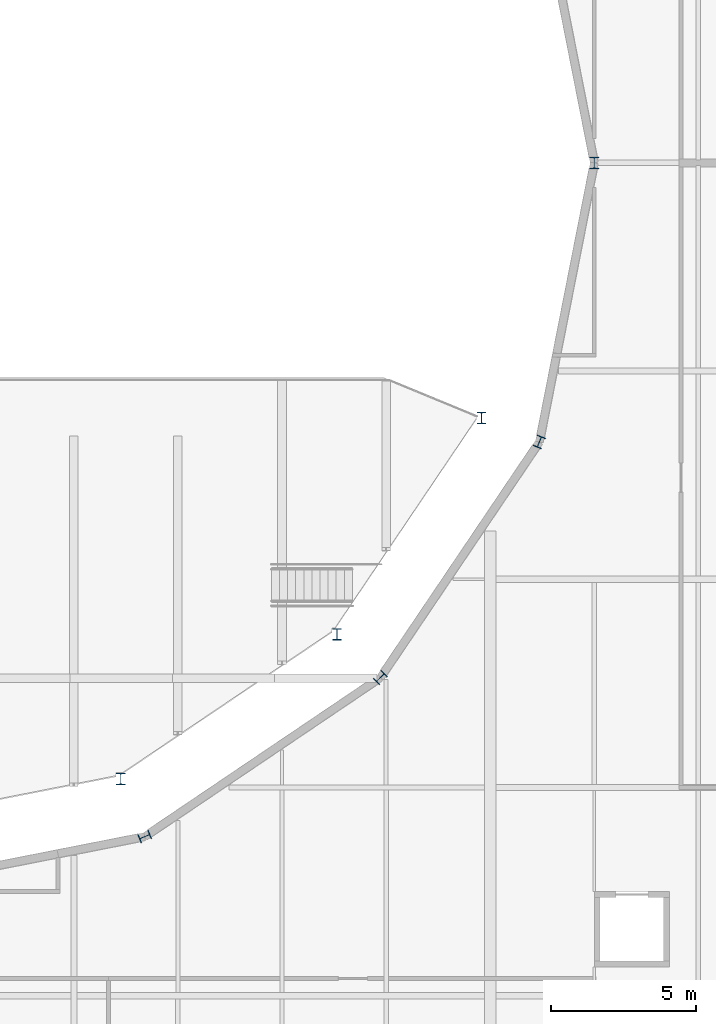
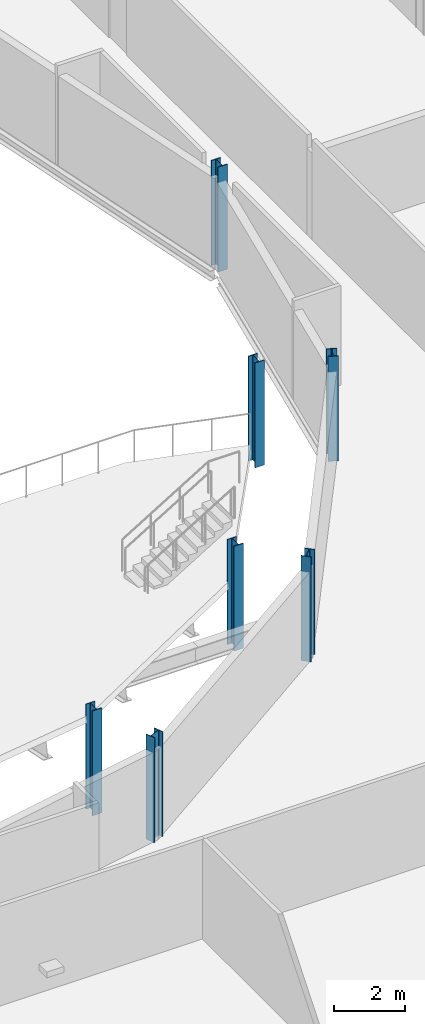
# One storey, part 4 of 124: 7 columns.
"""IFC4 building model written with IfcOpenShell, lengths in metres."""

import ifcopenshell
import ifcopenshell.guid

model = None  # the IFC model being written
_history = None  # IfcOwnerHistory: only IFC2X3 demands one
_inside = {}  # id of a spatial element -> (the spatial element, [elements in it])
_under = {}  # id of a project, library or spatial element -> (it, [spatial elements below it])
_declared = {}  # id of a project -> (the project, [libraries it declares])
_typed = {}  # id of a type object -> (the type object, [elements of that type])
_made_of = {}  # id of a material, layer set ... -> (it, [elements and type objects made of it])


def new_model(schema):
    """Start an empty IFC model of exactly this schema.

    Asked for "IFC4X3", IfcOpenShell would pick the latest addendum, in which some entities
    have other attributes; the version numbers below select the first issue.
    IFC2X3 requires an IfcOwnerHistory on every rooted entity: one is made here for all.
    """
    global model, _history
    if schema == "IFC4X3":
        model = ifcopenshell.file(schema_version=(4, 3, 0, 0))
    else:
        model = ifcopenshell.file(schema=schema)
    _inside.clear()
    _under.clear()
    _declared.clear()
    _typed.clear()
    _made_of.clear()
    _history = None
    if model.schema == "IFC2X3":
        org = make("IfcOrganization", Name="unknown")
        user = make(
            "IfcPersonAndOrganization",
            ThePerson=make("IfcPerson", FamilyName="unknown"),
            TheOrganization=org,
        )
        app = make(
            "IfcApplication",
            ApplicationDeveloper=org,
            Version="unknown",
            ApplicationFullName="unknown",
            ApplicationIdentifier="unknown",
        )
        _history = make(
            "IfcOwnerHistory",
            OwningUser=user,
            OwningApplication=app,
            ChangeAction="ADDED",
            CreationDate=0,
        )
    return model


def make(cls, **values):
    """One entity of the class cls with the attributes given. An attribute that is None is left unset."""
    return model.create_entity(
        cls, **{name: value for name, value in values.items() if value is not None}
    )


def rooted(cls, **values):
    """An entity with a GlobalId (a new one), such as an element, a storey or a relation."""
    return make(cls, GlobalId=ifcopenshell.guid.new(), OwnerHistory=_history, **values)


def si_unit(unit_type, name, prefix=None):
    """IfcSIUnit, for example si_unit("LENGTHUNIT", "METRE", prefix="MILLI")."""
    return make("IfcSIUnit", UnitType=unit_type, Prefix=prefix, Name=name)


def assignment(units):
    """IfcUnitAssignment: the units of a project."""
    return None if units is None else make("IfcUnitAssignment", Units=units)


def point(xyz):
    """IfcCartesianPoint."""
    return None if xyz is None else make("IfcCartesianPoint", Coordinates=xyz)


def direction(xyz):
    """IfcDirection."""
    return None if xyz is None else make("IfcDirection", DirectionRatios=xyz)


def frame(location, z_axis=None, x_axis=None):
    """IfcAxis2Placement3D, a coordinate frame: its origin and axes. An axis left out is left unset."""
    return make(
        "IfcAxis2Placement3D",
        Location=point(location),
        Axis=direction(z_axis),
        RefDirection=direction(x_axis),
    )


def frame_2d(location, x_axis=None):
    """IfcAxis2Placement2D, a coordinate frame in the plane: its origin and x axis."""
    return make(
        "IfcAxis2Placement2D", Location=point(location), RefDirection=direction(x_axis)
    )


def origin():
    """The frame at (0, 0, 0) with its axes left unset."""
    return frame((0.0, 0.0, 0.0))


def origin_2d():
    """The frame at (0, 0) in the plane with its x axis left unset."""
    return frame_2d((0.0, 0.0))


def place(relative_to, where):
    """IfcLocalPlacement: puts the frame where relative to a parent placement (None: the world)."""
    return make(
        "IfcLocalPlacement", PlacementRelTo=relative_to, RelativePlacement=where
    )


def context(
    kind, dimensions, precision=None, world=None, true_north=None, identifier=None
):
    """IfcGeometricRepresentationContext, for example the 3D "Model" context."""
    return make(
        "IfcGeometricRepresentationContext",
        ContextIdentifier=identifier,
        ContextType=kind,
        CoordinateSpaceDimension=dimensions,
        Precision=precision,
        WorldCoordinateSystem=world,
        TrueNorth=true_north,
    )


def subcontext(parent, identifier, kind, view, scale=None):
    """IfcGeometricRepresentationSubContext, for example "Body" below "Model"."""
    return make(
        "IfcGeometricRepresentationSubContext",
        ContextIdentifier=identifier,
        ContextType=kind,
        ParentContext=parent,
        TargetScale=scale,
        TargetView=view,
    )


def project(units=None, contexts=None):
    """IfcProject with its units and contexts."""
    return rooted(
        "IfcProject",
        Name="project",
        RepresentationContexts=contexts,
        UnitsInContext=assignment(units),
    )


def spatial(cls, under=None, at=None, **own):
    """A site, building, storey or space (cls), placed at a placement, below another one or the project."""
    s = rooted(cls, ObjectPlacement=at, **own)
    if under is not None:
        _under.setdefault(under.id(), (under, []))[1].append(s)
    return s


def profile(cls, at=None, kind="AREA", **sizes):
    """A parametric profile (cls). Its sizes go by their IFC names, for example OverallWidth=200.0."""
    return make(cls, ProfileType=kind, Position=at, **sizes)


def i_section(**sizes):
    """IfcIShapeProfileDef."""
    return profile("IfcIShapeProfileDef", **sizes)


def extrude(swept, where, along, depth):
    """IfcExtrudedAreaSolid: the profile swept, set in the frame where, extruded along a direction by depth."""
    return make(
        "IfcExtrudedAreaSolid",
        SweptArea=swept,
        Position=where,
        ExtrudedDirection=direction(along),
        Depth=depth,
    )


def shape(context_of_items, identifier, shape_type, items):
    """IfcShapeRepresentation: the items that make up one representation, for example the "Body"."""
    return make(
        "IfcShapeRepresentation",
        ContextOfItems=context_of_items,
        RepresentationIdentifier=identifier,
        RepresentationType=shape_type,
        Items=items,
    )


def material(Name=None, Category=None):
    """IfcMaterial."""
    return make("IfcMaterial", Name=Name, Category=Category)


def material_profile(
    of_material, cross_section, Name=None, Category=None, Priority=None
):
    """IfcMaterialProfile: a cross section and its material."""
    return make(
        "IfcMaterialProfile",
        Name=Name,
        Material=of_material,
        Profile=cross_section,
        Priority=Priority,
        Category=Category,
    )


def profile_set(profiles, Name=None, composite=None):
    """IfcMaterialProfileSet."""
    return make(
        "IfcMaterialProfileSet",
        Name=Name,
        MaterialProfiles=profiles,
        CompositeProfile=composite,
    )


def made_of(thing, what):
    """Note that an element or type object is made of a material, layer set ...; save() writes the relation."""
    if what is not None:
        _made_of.setdefault(what.id(), (what, []))[1].append(thing)
    return thing


def type_object(cls, material=None, **own):
    """A type object (cls), such as IfcWallType, which elements share."""
    return made_of(rooted(cls, **own), material)


def element(
    cls,
    number,
    at=None,
    inside=None,
    cuts=None,
    type_object=None,
    material=None,
    context=None,
    identifier="Body",
    shape_type=None,
    held_by="IfcProductDefinitionShape",
    body=None,
    shapes=None,
    **own,
):
    """One element of the class cls, such as IfcWall. Its Tag is "e" and its number.

    at: its placement. inside: the storey or other place that contains it. cuts: it is an
    opening in that element (IfcRelVoidsElement). A single representation is given by context,
    identifier, shape_type and body (its items); several are given by shapes. held_by: the class
    of the entity that holds the representations. save() writes the other relations.
    """
    e = rooted(cls, Tag="e%d" % number, ObjectPlacement=at, **own)
    if body is not None:
        shapes = [shape(context, identifier, shape_type, body)]
    if shapes is not None:
        e.Representation = make(held_by, Representations=shapes)
    if inside is not None:
        _inside.setdefault(inside.id(), (inside, []))[1].append(e)
    if cuts is not None:
        rooted(
            "IfcRelVoidsElement", RelatingBuildingElement=cuts, RelatedOpeningElement=e
        )
    if type_object is not None:
        _typed.setdefault(type_object.id(), (type_object, []))[1].append(e)
    return made_of(e, material)


def aggregate(whole, parts):
    """IfcRelAggregates: a whole, such as a stair, and the parts it consists of."""
    return rooted("IfcRelAggregates", RelatingObject=whole, RelatedObjects=parts)


def save(model, path):
    """Write the relations noted so far, then the file.

    IfcRelAggregates (storeys below a building ...), IfcRelContainedInSpatialStructure (elements
    in a storey), IfcRelDefinesByType, IfcRelAssociatesMaterial and IfcRelDeclares: one each for
    every whole, place, type object, material and project.
    """
    for whole, parts in _under.values():
        aggregate(whole, parts)
    for where, things in _inside.values():
        rooted(
            "IfcRelContainedInSpatialStructure",
            RelatedElements=things,
            RelatingStructure=where,
        )
    for kind, things in _typed.values():
        rooted("IfcRelDefinesByType", RelatedObjects=things, RelatingType=kind)
    for what, things in _made_of.values():
        rooted("IfcRelAssociatesMaterial", RelatedObjects=things, RelatingMaterial=what)
    for by, libraries in _declared.values():
        rooted("IfcRelDeclares", RelatingContext=by, RelatedDefinitions=libraries)
    model.write(path)


model = new_model("IFC4")

# Units and contexts
model_context = context("Model", 3, precision=1e-05, world=origin(), true_north=direction((0.0, 1.0)))
body_context = subcontext(model_context, "Body", "Model", "MODEL_VIEW")
ifc_project = project(units=[si_unit("LENGTHUNIT", "METRE"), si_unit("AREAUNIT", "SQUARE_METRE"), si_unit("VOLUMEUNIT", "CUBIC_METRE"), si_unit("PLANEANGLEUNIT", "RADIAN"), si_unit("MASSUNIT", "GRAM", prefix="KILO")], contexts=[model_context])

# Site, building, storey
site_placement = place(None, origin())
site = spatial("IfcSite", under=ifc_project, at=site_placement, CompositionType="ELEMENT")
building_placement = place(site_placement, origin())
building = spatial("IfcBuilding", under=site, at=building_placement, Name="Kupolbacken Congress Centre", CompositionType="ELEMENT")
storey_placement = place(building_placement, frame((0.0, 0.0, 10.800048828125)))
storey = spatial("IfcBuildingStorey", under=building, at=storey_placement, Name="L03", CompositionType="ELEMENT", Elevation=10.800048828125)

# Columns
ifc_material = material(Name="Steel S355", Category="steel")
ifc_material_profile = material_profile(ifc_material, i_section(OverallWidth=0.300048828125, OverallDepth=0.39990234375, WebThickness=0.013427734375, FlangeThickness=0.02392578125, FilletRadius=0.027099609375, at=origin_2d()), Name="HEB 400")
ifc_profile_set = profile_set([ifc_material_profile], Name="Steel S355")
column_type = type_object("IfcColumnType", Name="C08 column HEB 400", PredefinedType="COLUMN", material=ifc_profile_set)
for number, where, z_axis, x_axis, name in (
    (1, (68.39990234375, 86.39990234375, 0.0), (0.0, 0.0, 1.0), (1.0, 0.0, 0.0), "S/col/C-D01/L03"),
    (2, (52.85009765625, 63.10009765625, 0.0), (0.0, 0.0, 1.0), (0.382643629864, -0.923896018243, 0.0), "S/col/C-D14/L03"),
    (3, (61.0, 68.60009765625, 0.0), (0.0, 0.0, 1.0), (0.707106781187, -0.707106781187, 0.0), "S/col/C-D15/L03"),
    (4, (66.5, 76.75, 0.0), (0.0, 0.0, 1.0), (0.923896018243, -0.382643629864, 0.0), "S/col/C-D16/L03"),
    (5, (52.024169921875, 65.096435546875, 0.0), (0.0, 0.0, 1.0), (1.0, 0.0, 0.0), "Plenary ring column"),
    (6, (59.505126953125, 70.094970703125, 0.0), (0.0, 0.0, 1.0), (1.0, 0.0, 0.0), "Plenary ring column"),
    (7, (64.503662109375, 77.57568359375, 0.0), (0.0, 0.0, 1.0), (1.0, 0.0, 0.0), "Plenary ring column"),
):
    element("IfcColumn", number, at=place(storey_placement, frame(where, z_axis=z_axis, x_axis=x_axis)), inside=storey, type_object=column_type, Name=name, PredefinedType="COLUMN", context=body_context, shape_type="SweptSolid", body=[
        extrude(i_section(OverallWidth=0.300048828125, OverallDepth=0.39990234375, WebThickness=0.013427734375, FlangeThickness=0.02392578125, FilletRadius=0.027099609375, at=origin_2d()), origin(), (0.0, 0.0, 1.0), 3.599853515625),
    ])

save(model, "model.ifc")
